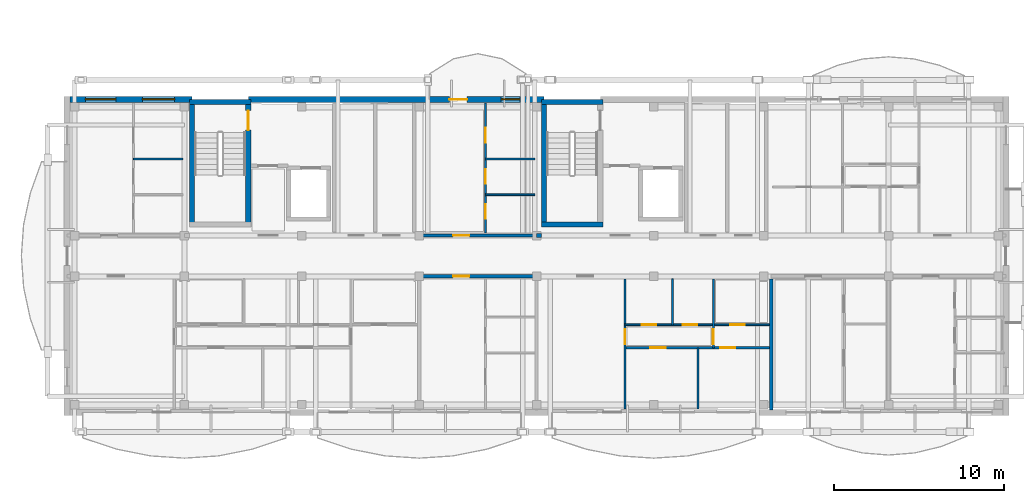
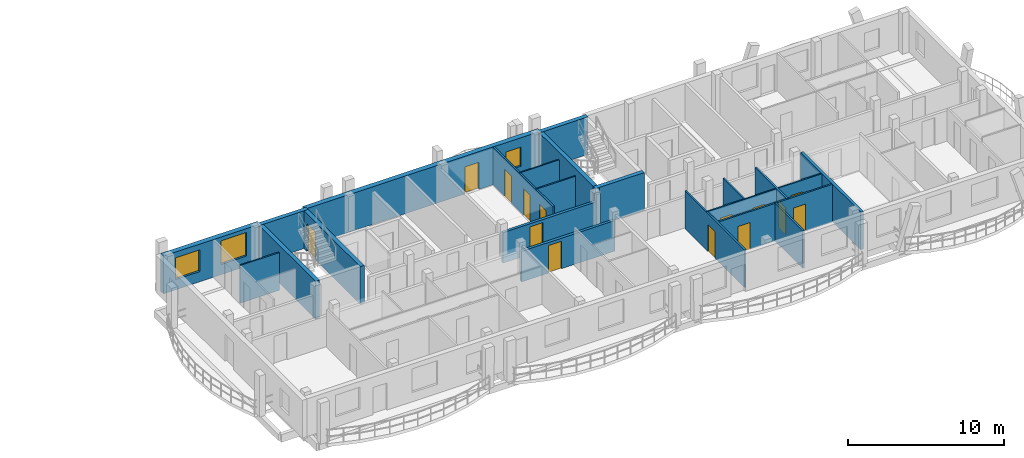
# One storey, part 16 of 44: 22 walls, 14 doors, 3 windows, 17 openings.
"""IFC4 building model written with IfcOpenShell, lengths in metres."""

from ifc_helpers import new_model, si_unit, direction, frame, frame_2d, origin, origin_with_axes, place, context, subcontext, project, spatial, rectangle, extrude, material, layer, layer_set, type_object, element, fill, save


model = new_model("IFC4")

# Units and contexts
model_context = context("Model", 3, precision=1e-05, world=origin(), true_north=direction((0.0, 1.0)))
body_context = subcontext(model_context, "Body", "Model", "MODEL_VIEW")
ifc_project = project(units=[si_unit("LENGTHUNIT", "METRE"), si_unit("AREAUNIT", "SQUARE_METRE"), si_unit("VOLUMEUNIT", "CUBIC_METRE"), si_unit("PLANEANGLEUNIT", "RADIAN"), si_unit("MASSUNIT", "GRAM", prefix="KILO")], contexts=[model_context])

# Site, building, storey
site_placement = place(None, origin())
site = spatial("IfcSite", under=ifc_project, at=site_placement, CompositionType="ELEMENT")
building_placement = place(site_placement, origin())
building = spatial("IfcBuilding", under=site, at=building_placement, Name="Zavelmont Quarter", CompositionType="ELEMENT")
storey_placement = place(building_placement, frame((0.0, 0.0, 20.800048828125)))
storey = spatial("IfcBuildingStorey", under=building, at=storey_placement, Name="L06", CompositionType="ELEMENT", Elevation=20.800048828125)

# Wall, openings, windows
ifc_material_1 = material(Name="Natural Belgian limestone", Category="masonry")
ifc_layer_1 = layer(ifc_material_1, 0.360107421875)
ifc_layer_set_1 = layer_set([ifc_layer_1], Name="Natural Belgian limestone")
wall_type_1 = type_object("IfcWallType", Name="EW02", PredefinedType="STANDARD", material=ifc_layer_set_1)
wall_1_placement = place(storey_placement, frame((0.169921875, 18.39990234375, 0.0), z_axis=(0.0, 0.0, 1.0), x_axis=(1.0, 0.0, 0.0)))
wall_1 = element("IfcWall", 1, at=wall_1_placement, inside=storey, type_object=wall_type_1, Name="L06 exterior limestone wall EW02", PredefinedType="STANDARD", context=body_context, shape_type="SweptSolid", body=[
    extrude(rectangle(XDim=7.18017578125, YDim=0.360107421875, at=frame_2d((3.590087890625, 0.0))), origin(), (0.0, 0.0, 1.0), 2.949951171875),
])
opening_1_placement = place(wall_1_placement, frame((0.89990234375, 0.0, 0.800048828125)))
opening_1 = element("IfcOpeningElement", 2, at=opening_1_placement, cuts=wall_1, Name="Opening WN02", PredefinedType="OPENING", context=body_context, shape_type="SweptSolid", body=[
    extrude(rectangle(XDim=1.800048828125, YDim=1.699951171875, at=frame_2d((0.89990234375, 0.85009765625))), frame((0.0, 0.19189453125, 0.0), z_axis=(0.0, -1.0, 0.0), x_axis=(1.0, 0.0, 0.0)), (0.0, 0.0, 1.0), 0.384033203125),
])
opening_2_placement = place(wall_1_placement, frame((4.25, 0.0, 0.800048828125)))
opening_2 = element("IfcOpeningElement", 3, at=opening_2_placement, cuts=wall_1, Name="Opening WN20", PredefinedType="OPENING", context=body_context, shape_type="SweptSolid", body=[
    extrude(rectangle(XDim=1.89990234375, YDim=1.85009765625, at=frame_2d((0.949951171875, 0.925048828125))), frame((0.0, 0.19189453125, 0.0), z_axis=(0.0, -1.0, 0.0), x_axis=(1.0, 0.0, 0.0)), (0.0, 0.0, 1.0), 0.384033203125),
])
ifc_material_2 = material(Name="Double low-E insulated glazing in thermally broken aluminium frame", Category="aluminium")
window_type_1 = type_object("IfcWindowType", Name="WN02", PartitioningType="SINGLE_PANEL", PredefinedType="WINDOW", material=ifc_material_2)
window_1_placement = place(opening_1_placement, origin_with_axes())
window_1 = element("IfcWindow", 4, at=window_1_placement, inside=storey, type_object=window_type_1, Name="L06 window WN02", OverallHeight=1.699951171875, OverallWidth=1.800048828125, PartitioningType="SINGLE_PANEL", PredefinedType="WINDOW", context=body_context, shape_type="SweptSolid", body=[
    extrude(rectangle(XDim=1.800048828125, YDim=1.699951171875, at=frame_2d((0.89990234375, 0.85009765625))), frame((0.0, 0.030029296875, 0.0), z_axis=(0.0, -1.0, 0.0), x_axis=(1.0, 0.0, 0.0)), (0.0, 0.0, 1.0), 0.06005859375),
])
fill(opening_1, window_1)
window_type_2 = type_object("IfcWindowType", Name="WN20", PartitioningType="SINGLE_PANEL", PredefinedType="WINDOW", material=ifc_material_2)
window_2_placement = place(opening_2_placement, origin_with_axes())
window_2 = element("IfcWindow", 5, at=window_2_placement, inside=storey, type_object=window_type_2, Name="L06 window WN20", OverallHeight=1.85009765625, OverallWidth=1.89990234375, PartitioningType="SINGLE_PANEL", PredefinedType="WINDOW", context=body_context, shape_type="SweptSolid", body=[
    extrude(rectangle(XDim=1.89990234375, YDim=1.85009765625, at=frame_2d((0.949951171875, 0.925048828125))), frame((0.0, 0.030029296875, 0.0), z_axis=(0.0, -1.0, 0.0), x_axis=(1.0, 0.0, 0.0)), (0.0, 0.0, 1.0), 0.06005859375),
])
fill(opening_2, window_2)

# Wall, openings, door, window
wall_2_placement = place(storey_placement, frame((10.64990234375, 18.39990234375, 0.0), z_axis=(0.0, 0.0, 1.0), x_axis=(1.0, 0.0, 0.0)))
wall_2 = element("IfcWall", 6, at=wall_2_placement, inside=storey, type_object=wall_type_1, Name="L06 exterior limestone wall EW02", PredefinedType="STANDARD", context=body_context, shape_type="SweptSolid", body=[
    extrude(rectangle(XDim=17.400146484375, YDim=0.360107421875, at=frame_2d((8.7001953125, 0.0))), origin(), (0.0, 0.0, 1.0), 2.949951171875),
])
opening_3_placement = place(wall_2_placement, frame((11.820068359375, 0.0, 0.0)))
opening_3 = element("IfcOpeningElement", 7, at=opening_3_placement, cuts=wall_2, Name="Opening DR04A", PredefinedType="OPENING", context=body_context, shape_type="SweptSolid", body=[
    extrude(rectangle(XDim=1.050048828125, YDim=2.1201171875, at=frame_2d((0.52490234375, 1.06005859375))), frame((0.0, 0.19189453125, 0.0), z_axis=(0.0, -1.0, 0.0), x_axis=(1.0, 0.0, 0.0)), (0.0, 0.0, 1.0), 0.384033203125),
])
opening_4_placement = place(wall_2_placement, frame((14.8701171875, 0.0, 0.719970703125)))
opening_4 = element("IfcOpeningElement", 8, at=opening_4_placement, cuts=wall_2, Name="Opening WN09", PredefinedType="OPENING", context=body_context, shape_type="SweptSolid", body=[
    extrude(rectangle(XDim=1.10009765625, YDim=1.5, at=frame_2d((0.550048828125, 0.75))), frame((0.0, 0.19189453125, 0.0), z_axis=(0.0, -1.0, 0.0), x_axis=(1.0, 0.0, 0.0)), (0.0, 0.0, 1.0), 0.384033203125),
])
ifc_material_3 = material(Name="Thermally broken aluminium and double safety glass", Category="aluminium")
door_type_1 = type_object("IfcDoorType", Name="DR04A", OperationType="NOTDEFINED", PredefinedType="DOOR", material=ifc_material_3)
door_1_placement = place(opening_3_placement, frame((1.050048828125, 0.0, 0.0), z_axis=(0.0, 0.0, 1.0), x_axis=(-1.0, 0.0, 0.0)))
door_1 = element("IfcDoor", 9, at=door_1_placement, inside=storey, type_object=door_type_1, Name="Block A L06 glazed balcony door", OperationType="SINGLE_SWING_LEFT", OverallHeight=2.1201171875, OverallWidth=1.050048828125, PredefinedType="DOOR", context=body_context, shape_type="SweptSolid", body=[
    extrude(rectangle(XDim=1.050048828125, YDim=2.1201171875, at=frame_2d((0.52490234375, 1.06005859375))), frame((0.0, 0.02490234375, 0.0), z_axis=(0.0, -1.0, 0.0), x_axis=(1.0, 0.0, 0.0)), (0.0, 0.0, 1.0), 0.050048828125),
])
fill(opening_3, door_1)
window_type_3 = type_object("IfcWindowType", Name="WN09", PartitioningType="SINGLE_PANEL", PredefinedType="WINDOW", material=ifc_material_2)
window_3_placement = place(opening_4_placement, origin_with_axes())
window_3 = element("IfcWindow", 10, at=window_3_placement, inside=storey, type_object=window_type_3, Name="L06 window WN09", OverallHeight=1.5, OverallWidth=1.10009765625, PartitioningType="SINGLE_PANEL", PredefinedType="WINDOW", context=body_context, shape_type="SweptSolid", body=[
    extrude(rectangle(XDim=1.10009765625, YDim=1.5, at=frame_2d((0.550048828125, 0.75))), frame((0.0, 0.030029296875, 0.0), z_axis=(0.0, -1.0, 0.0), x_axis=(1.0, 0.0, 0.0)), (0.0, 0.0, 1.0), 0.06005859375),
])
fill(opening_4, window_3)

# Wall, opening, door
ifc_material_4 = material(Name="Calcium-silicate blockwork and acoustic plaster", Category="masonry")
ifc_layer_2 = layer(ifc_material_4, 0.199951171875)
ifc_layer_set_2 = layer_set([ifc_layer_2], Name="Calcium-silicate blockwork and acoustic plaster")
wall_type_2 = type_object("IfcWallType", Name="IW01", PredefinedType="PARTITIONING", material=ifc_layer_set_2)
wall_3_placement = place(storey_placement, frame((20.699951171875, 8.0, 0.0), z_axis=(0.0, 0.0, 1.0), x_axis=(1.0, 0.0, 0.0)))
wall_3 = element("IfcWall", 11, at=wall_3_placement, inside=storey, type_object=wall_type_2, Name="L06 Corridor compartment wall IW01", PredefinedType="PARTITIONING", context=body_context, shape_type="SweptSolid", body=[
    extrude(rectangle(XDim=6.900146484375, YDim=0.199951171875, at=frame_2d((3.4501953125, 0.0))), origin(), (0.0, 0.0, 1.0), 2.389892578125),
])
opening_5_placement = place(wall_3_placement, frame((2.0, 0.0, 0.0)))
opening_5 = element("IfcOpeningElement", 12, at=opening_5_placement, cuts=wall_3, Name="Opening DR02", PredefinedType="OPENING", context=body_context, shape_type="SweptSolid", body=[
    extrude(rectangle(XDim=0.949951171875, YDim=2.14990234375, at=frame_2d((0.47509765625, 1.074951171875))), frame((0.0, 0.11181640625, 0.0), z_axis=(0.0, -1.0, 0.0), x_axis=(1.0, 0.0, 0.0)), (0.0, 0.0, 1.0), 0.223876953125),
])
ifc_material_5 = material(Name="Solid-core oak fire leaf in steel frame", Category="steel")
door_type_2 = type_object("IfcDoorType", Name="DR02", OperationType="NOTDEFINED", PredefinedType="DOOR", material=ifc_material_5)
door_2_placement = place(opening_5_placement, frame((0.949951171875, 0.0, 0.0), z_axis=(0.0, 0.0, 1.0), x_axis=(-1.0, 0.0, 0.0)))
door_2 = element("IfcDoor", 13, at=door_2_placement, inside=storey, type_object=door_type_2, Name="L06 door DR02", OperationType="SINGLE_SWING_LEFT", OverallHeight=2.14990234375, OverallWidth=0.949951171875, PredefinedType="DOOR", context=body_context, shape_type="SweptSolid", body=[
    extrude(rectangle(XDim=0.949951171875, YDim=2.14990234375, at=frame_2d((0.47509765625, 1.074951171875))), frame((0.0, 0.02490234375, 0.0), z_axis=(0.0, -1.0, 0.0), x_axis=(1.0, 0.0, 0.0)), (0.0, 0.0, 1.0), 0.050048828125),
])
fill(opening_5, door_2)

# Wall
wall_4_placement = place(storey_placement, frame((41.39990234375, 7.85009765625, 0.0), z_axis=(0.0, 0.0, 1.0), x_axis=(0.0, -1.0, 0.0)))
element("IfcWall", 14, at=wall_4_placement, inside=storey, type_object=wall_type_2, Name="L06 Inter-dwelling compartment wall IW01", PredefinedType="PARTITIONING", context=body_context, shape_type="SweptSolid", body=[
    extrude(rectangle(XDim=7.7001953125, YDim=0.199951171875, at=frame_2d((3.85009765625, 0.0))), origin(), (0.0, 0.0, 1.0), 2.949951171875),
])

# Wall, opening, door
wall_5_placement = place(storey_placement, frame((20.699951171875, 10.39990234375, 0.0), z_axis=(0.0, 0.0, 1.0), x_axis=(1.0, 0.0, 0.0)))
wall_5 = element("IfcWall", 15, at=wall_5_placement, inside=storey, type_object=wall_type_2, Name="L06 Corridor compartment wall IW01", PredefinedType="PARTITIONING", context=body_context, shape_type="SweptSolid", body=[
    extrude(rectangle(XDim=6.900146484375, YDim=0.199951171875, at=frame_2d((3.4501953125, 0.0))), origin(), (0.0, 0.0, 1.0), 2.389892578125),
])
opening_6_placement = place(wall_5_placement, frame((2.0, 0.0, 0.0)))
opening_6 = element("IfcOpeningElement", 16, at=opening_6_placement, cuts=wall_5, Name="Opening DR02", PredefinedType="OPENING", context=body_context, shape_type="SweptSolid", body=[
    extrude(rectangle(XDim=0.949951171875, YDim=2.14990234375, at=frame_2d((0.47509765625, 1.074951171875))), frame((0.0, 0.11181640625, 0.0), z_axis=(0.0, -1.0, 0.0), x_axis=(1.0, 0.0, 0.0)), (0.0, 0.0, 1.0), 0.223876953125),
])
door_3_placement = place(opening_6_placement, origin_with_axes())
door_3 = element("IfcDoor", 17, at=door_3_placement, inside=storey, type_object=door_type_2, Name="L06 door DR02", OperationType="SINGLE_SWING_LEFT", OverallHeight=2.14990234375, OverallWidth=0.949951171875, PredefinedType="DOOR", context=body_context, shape_type="SweptSolid", body=[
    extrude(rectangle(XDim=0.949951171875, YDim=2.14990234375, at=frame_2d((0.47509765625, 1.074951171875))), frame((0.0, 0.02490234375, 0.0), z_axis=(0.0, -1.0, 0.0), x_axis=(1.0, 0.0, 0.0)), (0.0, 0.0, 1.0), 0.050048828125),
])
fill(opening_6, door_3)

# Wall
ifc_material_6 = material(Name="Reinforced masonry fire compartment wall", Category="masonry")
ifc_layer_3 = layer(ifc_material_6, 0.22509765625)
ifc_layer_set_3 = layer_set([ifc_layer_3], Name="Reinforced masonry fire compartment wall")
wall_type_3 = type_object("IfcWallType", Name="IW02", PredefinedType="PARTITIONING", material=ifc_layer_set_3)
wall_6_placement = place(storey_placement, frame((27.60009765625, 10.39990234375, 0.0), z_axis=(0.0, 0.0, 1.0), x_axis=(1.0, 0.0, 0.0)))
element("IfcWall", 18, at=wall_6_placement, inside=storey, type_object=wall_type_3, Name="L06 Core corridor wall IW02", PredefinedType="PARTITIONING", context=body_context, shape_type="SweptSolid", body=[
    extrude(rectangle(XDim=0.2998046875, YDim=0.22509765625, at=frame_2d((0.14990234375, 0.0))), origin(), (0.0, 0.0, 1.0), 2.949951171875),
])

# Wall, opening, door
ifc_material_7 = material(Name="Double gypsum board on acoustic steel stud", Category="steel")
ifc_layer_4 = layer(ifc_material_7, 0.125)
ifc_layer_set_4 = layer_set([ifc_layer_4], Name="Double gypsum board on acoustic steel stud")
wall_type_4 = type_object("IfcWallType", Name="IW03", PredefinedType="PARTITIONING", material=ifc_layer_set_4)
wall_7_placement = place(storey_placement, frame((32.800048828125, 7.85009765625, 0.0), z_axis=(0.0, 0.0, 1.0), x_axis=(0.0, -1.0, 0.0)))
wall_7 = element("IfcWall", 19, at=wall_7_placement, inside=storey, type_object=wall_type_4, Name="L06 Partition IW03", PredefinedType="PARTITIONING", context=body_context, shape_type="SweptSolid", body=[
    extrude(rectangle(XDim=7.650146484375, YDim=0.125, at=frame_2d((3.8251953125, 0.0))), origin(), (0.0, 0.0, 1.0), 2.949951171875),
])
opening_7_placement = place(wall_7_placement, frame((2.949951171875, 0.0, 0.0)))
opening_7 = element("IfcOpeningElement", 20, at=opening_7_placement, cuts=wall_7, Name="Opening DR05", PredefinedType="OPENING", context=body_context, shape_type="SweptSolid", body=[
    extrude(rectangle(XDim=0.89990234375, YDim=2.10009765625, at=frame_2d((0.449951171875, 1.050048828125))), frame((0.0, 0.074462890625, 0.0), z_axis=(0.0, -1.0, 0.0), x_axis=(1.0, 0.0, 0.0)), (0.0, 0.0, 1.0), 0.14892578125),
])
ifc_material_8 = material(Name="Engineered oak flush interior door")
door_type_3 = type_object("IfcDoorType", Name="DR05", OperationType="NOTDEFINED", PredefinedType="DOOR", material=ifc_material_8)
door_4_placement = place(opening_7_placement, frame((0.89990234375, 0.0, 0.0), z_axis=(0.0, 0.0, 1.0), x_axis=(-1.0, 0.0, 0.0)))
door_4 = element("IfcDoor", 21, at=door_4_placement, inside=storey, type_object=door_type_3, Name="L06 door DR05", OperationType="SINGLE_SWING_RIGHT", OverallHeight=2.10009765625, OverallWidth=0.89990234375, PredefinedType="DOOR", context=body_context, shape_type="SweptSolid", body=[
    extrude(rectangle(XDim=0.89990234375, YDim=2.10009765625, at=frame_2d((0.449951171875, 1.050048828125))), frame((0.0, 0.02490234375, 0.0), z_axis=(0.0, -1.0, 0.0), x_axis=(1.0, 0.0, 0.0)), (0.0, 0.0, 1.0), 0.050048828125),
])
fill(opening_7, door_4)

wall_8_placement = place(storey_placement, frame((38.0, 7.85009765625, 0.0), z_axis=(0.0, 0.0, 1.0), x_axis=(0.0, -1.0, 0.0)))
wall_8 = element("IfcWall", 22, at=wall_8_placement, inside=storey, type_object=wall_type_4, Name="L06 Partition IW03", PredefinedType="PARTITIONING", context=body_context, shape_type="SweptSolid", body=[
    extrude(rectangle(XDim=4.050048828125, YDim=0.125, at=frame_2d((2.02490234375, 0.0))), origin(), (0.0, 0.0, 1.0), 2.949951171875),
])
opening_8_placement = place(wall_8_placement, frame((2.949951171875, 0.0, 0.0)))
opening_8 = element("IfcOpeningElement", 23, at=opening_8_placement, cuts=wall_8, Name="Opening DR05", PredefinedType="OPENING", context=body_context, shape_type="SweptSolid", body=[
    extrude(rectangle(XDim=0.89990234375, YDim=2.10009765625, at=frame_2d((0.449951171875, 1.050048828125))), frame((0.0, 0.074462890625, 0.0), z_axis=(0.0, -1.0, 0.0), x_axis=(1.0, 0.0, 0.0)), (0.0, 0.0, 1.0), 0.14892578125),
])
door_5_placement = place(opening_8_placement, origin_with_axes())
door_5 = element("IfcDoor", 24, at=door_5_placement, inside=storey, type_object=door_type_3, Name="L06 door DR05", OperationType="SINGLE_SWING_LEFT", OverallHeight=2.10009765625, OverallWidth=0.89990234375, PredefinedType="DOOR", context=body_context, shape_type="SweptSolid", body=[
    extrude(rectangle(XDim=0.89990234375, YDim=2.10009765625, at=frame_2d((0.449951171875, 1.050048828125))), frame((0.0, 0.02490234375, 0.0), z_axis=(0.0, -1.0, 0.0), x_axis=(1.0, 0.0, 0.0)), (0.0, 0.0, 1.0), 0.050048828125),
])
fill(opening_8, door_5)

# Wall
wall_9_placement = place(storey_placement, frame((37.10009765625, 3.800048828125, 0.0), z_axis=(0.0, 0.0, 1.0), x_axis=(0.0, -1.0, 0.0)))
element("IfcWall", 25, at=wall_9_placement, inside=storey, type_object=wall_type_4, Name="L06 Partition IW03", PredefinedType="PARTITIONING", context=body_context, shape_type="SweptSolid", body=[
    extrude(rectangle(XDim=3.60009765625, YDim=0.125, at=frame_2d((1.800048828125, 0.0))), origin(), (0.0, 0.0, 1.0), 2.949951171875),
])

# Wall, openings, doors
wall_10_placement = place(storey_placement, frame((32.800048828125, 3.800048828125, 0.0), z_axis=(0.0, 0.0, 1.0), x_axis=(1.0, 0.0, 0.0)))
wall_10 = element("IfcWall", 26, at=wall_10_placement, inside=storey, type_object=wall_type_4, Name="L06 Partition IW03", PredefinedType="PARTITIONING", context=body_context, shape_type="SweptSolid", body=[
    extrude(rectangle(XDim=8.5, YDim=0.125, at=frame_2d((4.25, 0.0))), origin(), (0.0, 0.0, 1.0), 2.949951171875),
])
opening_9_placement = place(wall_10_placement, frame((1.5, 0.0, 0.0)))
opening_9 = element("IfcOpeningElement", 27, at=opening_9_placement, cuts=wall_10, Name="Opening DR05", PredefinedType="OPENING", context=body_context, shape_type="SweptSolid", body=[
    extrude(rectangle(XDim=0.89990234375, YDim=2.10009765625, at=frame_2d((0.449951171875, 1.050048828125))), frame((0.0, 0.074462890625, 0.0), z_axis=(0.0, -1.0, 0.0), x_axis=(1.0, 0.0, 0.0)), (0.0, 0.0, 1.0), 0.14892578125),
])
opening_10_placement = place(wall_10_placement, frame((5.60009765625, 0.0, 0.0)))
opening_10 = element("IfcOpeningElement", 28, at=opening_10_placement, cuts=wall_10, Name="Opening DR05", PredefinedType="OPENING", context=body_context, shape_type="SweptSolid", body=[
    extrude(rectangle(XDim=0.89990234375, YDim=2.10009765625, at=frame_2d((0.449951171875, 1.050048828125))), frame((0.0, 0.074462890625, 0.0), z_axis=(0.0, -1.0, 0.0), x_axis=(1.0, 0.0, 0.0)), (0.0, 0.0, 1.0), 0.14892578125),
])
door_6_placement = place(opening_9_placement, origin_with_axes())
door_6 = element("IfcDoor", 29, at=door_6_placement, inside=storey, type_object=door_type_3, Name="L06 door DR05", OperationType="SINGLE_SWING_LEFT", OverallHeight=2.10009765625, OverallWidth=0.89990234375, PredefinedType="DOOR", context=body_context, shape_type="SweptSolid", body=[
    extrude(rectangle(XDim=0.89990234375, YDim=2.10009765625, at=frame_2d((0.449951171875, 1.050048828125))), frame((0.0, 0.02490234375, 0.0), z_axis=(0.0, -1.0, 0.0), x_axis=(1.0, 0.0, 0.0)), (0.0, 0.0, 1.0), 0.050048828125),
])
fill(opening_9, door_6)
door_7_placement = place(opening_10_placement, frame((0.89990234375, 0.0, 0.0), z_axis=(0.0, 0.0, 1.0), x_axis=(-1.0, 0.0, 0.0)))
door_7 = element("IfcDoor", 30, at=door_7_placement, inside=storey, type_object=door_type_3, Name="L06 door DR05", OperationType="SINGLE_SWING_RIGHT", OverallHeight=2.10009765625, OverallWidth=0.89990234375, PredefinedType="DOOR", context=body_context, shape_type="SweptSolid", body=[
    extrude(rectangle(XDim=0.89990234375, YDim=2.10009765625, at=frame_2d((0.449951171875, 1.050048828125))), frame((0.0, 0.02490234375, 0.0), z_axis=(0.0, -1.0, 0.0), x_axis=(1.0, 0.0, 0.0)), (0.0, 0.0, 1.0), 0.050048828125),
])
fill(opening_10, door_7)

wall_11_placement = place(storey_placement, frame((24.60009765625, 10.550048828125, 0.0), z_axis=(0.0, 0.0, 1.0), x_axis=(0.0, 1.0, 0.0)))
wall_11 = element("IfcWall", 31, at=wall_11_placement, inside=storey, type_object=wall_type_4, Name="L06 Partition IW03", PredefinedType="PARTITIONING", context=body_context, shape_type="SweptSolid", body=[
    extrude(rectangle(XDim=7.64990234375, YDim=0.125, at=frame_2d((3.824951171875, 0.0))), origin(), (0.0, 0.0, 1.0), 2.949951171875),
])
opening_11_placement = place(wall_11_placement, frame((0.85009765625, 0.0, 0.0)))
opening_11 = element("IfcOpeningElement", 32, at=opening_11_placement, cuts=wall_11, Name="Opening DR16", PredefinedType="OPENING", context=body_context, shape_type="SweptSolid", body=[
    extrude(rectangle(XDim=0.85009765625, YDim=2.10009765625, at=frame_2d((0.425048828125, 1.050048828125))), frame((0.0, 0.074462890625, 0.0), z_axis=(0.0, -1.0, 0.0), x_axis=(1.0, 0.0, 0.0)), (0.0, 0.0, 1.0), 0.14892578125),
])
opening_12_placement = place(wall_11_placement, frame((2.89990234375, 0.0, 0.0)))
opening_12 = element("IfcOpeningElement", 33, at=opening_12_placement, cuts=wall_11, Name="Opening DR06", PredefinedType="OPENING", context=body_context, shape_type="SweptSolid", body=[
    extrude(rectangle(XDim=0.85009765625, YDim=2.050048828125, at=frame_2d((0.425048828125, 1.02490234375))), frame((0.0, 0.074462890625, 0.0), z_axis=(0.0, -1.0, 0.0), x_axis=(1.0, 0.0, 0.0)), (0.0, 0.0, 1.0), 0.14892578125),
])
opening_13_placement = place(wall_11_placement, frame((5.300048828125, 0.0, 0.0)))
opening_13 = element("IfcOpeningElement", 34, at=opening_13_placement, cuts=wall_11, Name="Opening DR05", PredefinedType="OPENING", context=body_context, shape_type="SweptSolid", body=[
    extrude(rectangle(XDim=0.89990234375, YDim=2.10009765625, at=frame_2d((0.449951171875, 1.050048828125))), frame((0.0, 0.074462890625, 0.0), z_axis=(0.0, -1.0, 0.0), x_axis=(1.0, 0.0, 0.0)), (0.0, 0.0, 1.0), 0.14892578125),
])
door_8_placement = place(opening_13_placement, origin_with_axes())
door_8 = element("IfcDoor", 35, at=door_8_placement, inside=storey, type_object=door_type_3, Name="L06 door DR05", OperationType="SINGLE_SWING_LEFT", OverallHeight=2.10009765625, OverallWidth=0.89990234375, PredefinedType="DOOR", context=body_context, shape_type="SweptSolid", body=[
    extrude(rectangle(XDim=0.89990234375, YDim=2.10009765625, at=frame_2d((0.449951171875, 1.050048828125))), frame((0.0, 0.02490234375, 0.0), z_axis=(0.0, -1.0, 0.0), x_axis=(1.0, 0.0, 0.0)), (0.0, 0.0, 1.0), 0.050048828125),
])
fill(opening_13, door_8)
ifc_material_9 = material(Name="Moisture-resistant painted wet-room door")
door_type_4 = type_object("IfcDoorType", Name="DR06", OperationType="NOTDEFINED", PredefinedType="DOOR", material=ifc_material_9)
door_9_placement = place(opening_12_placement, frame((0.85009765625, 0.0, 0.0), z_axis=(0.0, 0.0, 1.0), x_axis=(-1.0, 0.0, 0.0)))
door_9 = element("IfcDoor", 36, at=door_9_placement, inside=storey, type_object=door_type_4, Name="L06 door DR06", OperationType="SINGLE_SWING_RIGHT", OverallHeight=2.050048828125, OverallWidth=0.85009765625, PredefinedType="DOOR", context=body_context, shape_type="SweptSolid", body=[
    extrude(rectangle(XDim=0.85009765625, YDim=2.050048828125, at=frame_2d((0.425048828125, 1.02490234375))), frame((0.0, 0.02490234375, 0.0), z_axis=(0.0, -1.0, 0.0), x_axis=(1.0, 0.0, 0.0)), (0.0, 0.0, 1.0), 0.050048828125),
])
fill(opening_12, door_9)
door_type_5 = type_object("IfcDoorType", Name="DR16", OperationType="NOTDEFINED", PredefinedType="DOOR", material=ifc_material_8)
door_10_placement = place(opening_11_placement, origin_with_axes())
door_10 = element("IfcDoor", 37, at=door_10_placement, inside=storey, type_object=door_type_5, Name="L06 door DR16", OperationType="SINGLE_SWING_LEFT", OverallHeight=2.10009765625, OverallWidth=0.85009765625, PredefinedType="DOOR", context=body_context, shape_type="SweptSolid", body=[
    extrude(rectangle(XDim=0.85009765625, YDim=2.10009765625, at=frame_2d((0.425048828125, 1.050048828125))), frame((0.0, 0.02490234375, 0.0), z_axis=(0.0, -1.0, 0.0), x_axis=(1.0, 0.0, 0.0)), (0.0, 0.0, 1.0), 0.050048828125),
])
fill(opening_11, door_10)

# Wall
ifc_material_10 = material(Name="Moisture-resistant gypsum board on steel stud", Category="steel")
ifc_layer_5 = layer(ifc_material_10, 0.10009765625)
ifc_layer_set_5 = layer_set([ifc_layer_5], Name="Moisture-resistant gypsum board on steel stud")
wall_type_5 = type_object("IfcWallType", Name="IW04", PredefinedType="PARTITIONING", material=ifc_layer_set_5)
wall_12_placement = place(storey_placement, frame((35.60009765625, 7.85009765625, 0.0), z_axis=(0.0, 0.0, 1.0), x_axis=(0.0, -1.0, 0.0)))
element("IfcWall", 38, at=wall_12_placement, inside=storey, type_object=wall_type_5, Name="L06 Partition IW04", PredefinedType="PARTITIONING", context=body_context, shape_type="SweptSolid", body=[
    extrude(rectangle(XDim=2.7001953125, YDim=0.10009765625, at=frame_2d((1.35009765625, 0.0))), origin(), (0.0, 0.0, 1.0), 2.949951171875),
])

# Wall, openings, doors
wall_13_placement = place(storey_placement, frame((32.800048828125, 5.14990234375, 0.0), z_axis=(0.0, 0.0, 1.0), x_axis=(1.0, 0.0, 0.0)))
wall_13 = element("IfcWall", 39, at=wall_13_placement, inside=storey, type_object=wall_type_5, Name="L06 Partition IW04", PredefinedType="PARTITIONING", context=body_context, shape_type="SweptSolid", body=[
    extrude(rectangle(XDim=8.5, YDim=0.10009765625, at=frame_2d((4.25, 0.0))), origin(), (0.0, 0.0, 1.0), 2.949951171875),
])
opening_14_placement = place(wall_13_placement, frame((1.0, 0.0, 0.0)))
opening_14 = element("IfcOpeningElement", 40, at=opening_14_placement, cuts=wall_13, Name="Opening DR16", PredefinedType="OPENING", context=body_context, shape_type="SweptSolid", body=[
    extrude(rectangle(XDim=0.85009765625, YDim=2.10009765625, at=frame_2d((0.425048828125, 1.050048828125))), frame((0.0, 0.06201171875, 0.0), z_axis=(0.0, -1.0, 0.0), x_axis=(1.0, 0.0, 0.0)), (0.0, 0.0, 1.0), 0.1240234375),
])
opening_15_placement = place(wall_13_placement, frame((3.39990234375, 0.0, 0.0)))
opening_15 = element("IfcOpeningElement", 41, at=opening_15_placement, cuts=wall_13, Name="Opening DR06", PredefinedType="OPENING", context=body_context, shape_type="SweptSolid", body=[
    extrude(rectangle(XDim=0.85009765625, YDim=2.050048828125, at=frame_2d((0.425048828125, 1.02490234375))), frame((0.0, 0.06201171875, 0.0), z_axis=(0.0, -1.0, 0.0), x_axis=(1.0, 0.0, 0.0)), (0.0, 0.0, 1.0), 0.1240234375),
])
opening_16_placement = place(wall_13_placement, frame((6.199951171875, 0.0, 0.0)))
opening_16 = element("IfcOpeningElement", 42, at=opening_16_placement, cuts=wall_13, Name="Opening DR06", PredefinedType="OPENING", context=body_context, shape_type="SweptSolid", body=[
    extrude(rectangle(XDim=0.85009765625, YDim=2.050048828125, at=frame_2d((0.425048828125, 1.02490234375))), frame((0.0, 0.06201171875, 0.0), z_axis=(0.0, -1.0, 0.0), x_axis=(1.0, 0.0, 0.0)), (0.0, 0.0, 1.0), 0.1240234375),
])
door_11_placement = place(opening_15_placement, origin_with_axes())
door_11 = element("IfcDoor", 43, at=door_11_placement, inside=storey, type_object=door_type_4, Name="L06 door DR06", OperationType="SINGLE_SWING_LEFT", OverallHeight=2.050048828125, OverallWidth=0.85009765625, PredefinedType="DOOR", context=body_context, shape_type="SweptSolid", body=[
    extrude(rectangle(XDim=0.85009765625, YDim=2.050048828125, at=frame_2d((0.425048828125, 1.02490234375))), frame((0.0, 0.02490234375, 0.0), z_axis=(0.0, -1.0, 0.0), x_axis=(1.0, 0.0, 0.0)), (0.0, 0.0, 1.0), 0.050048828125),
])
fill(opening_15, door_11)
door_12_placement = place(opening_16_placement, frame((0.85009765625, 0.0, 0.0), z_axis=(0.0, 0.0, 1.0), x_axis=(-1.0, 0.0, 0.0)))
door_12 = element("IfcDoor", 44, at=door_12_placement, inside=storey, type_object=door_type_4, Name="L06 door DR06", OperationType="SINGLE_SWING_RIGHT", OverallHeight=2.050048828125, OverallWidth=0.85009765625, PredefinedType="DOOR", context=body_context, shape_type="SweptSolid", body=[
    extrude(rectangle(XDim=0.85009765625, YDim=2.050048828125, at=frame_2d((0.425048828125, 1.02490234375))), frame((0.0, 0.02490234375, 0.0), z_axis=(0.0, -1.0, 0.0), x_axis=(1.0, 0.0, 0.0)), (0.0, 0.0, 1.0), 0.050048828125),
])
fill(opening_16, door_12)
door_13_placement = place(opening_14_placement, frame((0.85009765625, 0.0, 0.0), z_axis=(0.0, 0.0, 1.0), x_axis=(-1.0, 0.0, 0.0)))
door_13 = element("IfcDoor", 45, at=door_13_placement, inside=storey, type_object=door_type_5, Name="L06 door DR16", OperationType="SINGLE_SWING_RIGHT", OverallHeight=2.10009765625, OverallWidth=0.85009765625, PredefinedType="DOOR", context=body_context, shape_type="SweptSolid", body=[
    extrude(rectangle(XDim=0.85009765625, YDim=2.10009765625, at=frame_2d((0.425048828125, 1.050048828125))), frame((0.0, 0.02490234375, 0.0), z_axis=(0.0, -1.0, 0.0), x_axis=(1.0, 0.0, 0.0)), (0.0, 0.0, 1.0), 0.050048828125),
])
fill(opening_14, door_13)

# Walls
wall_14_placement = place(storey_placement, frame((3.89990234375, 14.89990234375, 0.0), z_axis=(0.0, 0.0, 1.0), x_axis=(1.0, 0.0, 0.0)))
element("IfcWall", 46, at=wall_14_placement, inside=storey, type_object=wall_type_5, Name="L06 Partition IW04", PredefinedType="PARTITIONING", context=body_context, shape_type="SweptSolid", body=[
    extrude(rectangle(XDim=2.900146484375, YDim=0.10009765625, at=frame_2d((1.4501953125, 0.0))), origin(), (0.0, 0.0, 1.0), 2.949951171875),
])
for number, where, z_axis, x_axis, name in (
    (47, (24.60009765625, 12.800048828125, 0.0), (0.0, 0.0, 1.0), (1.0, 0.0, 0.0), "L06 Partition IW04"),
    (48, (24.60009765625, 14.89990234375, 0.0), (0.0, 0.0, 1.0), (1.0, 0.0, 0.0), "L06 Partition IW04"),
):
    element("IfcWall", number, at=place(storey_placement, frame(where, z_axis=z_axis, x_axis=x_axis)), inside=storey, type_object=wall_type_5, Name=name, PredefinedType="PARTITIONING", context=body_context, shape_type="SweptSolid", body=[
        extrude(rectangle(XDim=2.89990234375, YDim=0.10009765625, at=frame_2d((1.449951171875, 0.0))), origin(), (0.0, 0.0, 1.0), 2.949951171875),
    ])
ifc_material_11 = material(Name="Concrete C40/50", Category="concrete")
ifc_layer_6 = layer(ifc_material_11, 0.300048828125)
ifc_layer_set_6 = layer_set([ifc_layer_6], Name="Concrete C40/50")
wall_type_6 = type_object("IfcWallType", Name="SW01", PredefinedType="SHEAR", material=ifc_layer_set_6)
wall_15_placement = place(storey_placement, frame((7.35009765625, 10.89990234375, 0.0), z_axis=(0.0, 0.0, 1.0), x_axis=(0.0, 1.0, 0.0)))
element("IfcWall", 49, at=wall_15_placement, inside=storey, type_object=wall_type_6, Name="L06 ST01 west shear wall SW01", PredefinedType="SHEAR", context=body_context, shape_type="SweptSolid", body=[
    extrude(rectangle(XDim=7.5, YDim=0.300048828125, at=frame_2d((3.75, 0.0))), origin(), (0.0, 0.0, 1.0), 2.949951171875),
])

# Wall, opening, door
wall_16_placement = place(storey_placement, frame((10.64990234375, 10.89990234375, 0.0), z_axis=(0.0, 0.0, 1.0), x_axis=(0.0, 1.0, 0.0)))
wall_16 = element("IfcWall", 50, at=wall_16_placement, inside=storey, type_object=wall_type_6, Name="L06 ST01 lobby shear wall SW01", PredefinedType="SHEAR", context=body_context, shape_type="SweptSolid", body=[
    extrude(rectangle(XDim=7.5, YDim=0.300048828125, at=frame_2d((3.75, 0.0))), origin(), (0.0, 0.0, 1.0), 2.949951171875),
])
opening_17_placement = place(wall_16_placement, frame((5.699951171875, 0.0, 0.0)))
opening_17 = element("IfcOpeningElement", 51, at=opening_17_placement, cuts=wall_16, Name="Opening DR09", PredefinedType="OPENING", context=body_context, shape_type="SweptSolid", body=[
    extrude(rectangle(XDim=1.14990234375, YDim=2.14990234375, at=frame_2d((0.574951171875, 1.074951171875))), frame((0.0, 0.162109375, 0.0), z_axis=(0.0, -1.0, 0.0), x_axis=(1.0, 0.0, 0.0)), (0.0, 0.0, 1.0), 0.323974609375),
])
ifc_material_12 = material(Name="Painted steel stair-core fire door", Category="steel")
door_type_6 = type_object("IfcDoorType", Name="DR09", OperationType="NOTDEFINED", PredefinedType="DOOR", material=ifc_material_12)
door_14_placement = place(opening_17_placement, origin_with_axes())
door_14 = element("IfcDoor", 52, at=door_14_placement, inside=storey, type_object=door_type_6, Name="ST01 protected stair door", OperationType="SINGLE_SWING_LEFT", OverallHeight=2.14990234375, OverallWidth=1.14990234375, PredefinedType="DOOR", context=body_context, shape_type="SweptSolid", body=[
    extrude(rectangle(XDim=1.14990234375, YDim=2.14990234375, at=frame_2d((0.574951171875, 1.074951171875))), frame((0.0, 0.02490234375, 0.0), z_axis=(0.0, -1.0, 0.0), x_axis=(1.0, 0.0, 0.0)), (0.0, 0.0, 1.0), 0.050048828125),
])
fill(opening_17, door_14)

# Walls
wall_17_placement = place(storey_placement, frame((27.89990234375, 11.050048828125, 0.0), z_axis=(0.0, 0.0, 1.0), x_axis=(1.0, 0.0, 0.0)))
element("IfcWall", 53, at=wall_17_placement, inside=storey, type_object=wall_type_6, Name="L06 ST02 corridor shear wall SW01", PredefinedType="SHEAR", context=body_context, shape_type="SweptSolid", body=[
    extrude(rectangle(XDim=3.60009765625, YDim=0.300048828125, at=frame_2d((1.800048828125, 0.0))), origin(), (0.0, 0.0, 1.0), 2.949951171875),
])
wall_18_placement = place(storey_placement, frame((28.050048828125, 10.89990234375, 0.0), z_axis=(0.0, 0.0, 1.0), x_axis=(0.0, 1.0, 0.0)))
element("IfcWall", 54, at=wall_18_placement, inside=storey, type_object=wall_type_6, Name="L06 ST02 west shear wall SW01", PredefinedType="SHEAR", context=body_context, shape_type="SweptSolid", body=[
    extrude(rectangle(XDim=7.5, YDim=0.300048828125, at=frame_2d((3.75, 0.0))), origin(), (0.0, 0.0, 1.0), 2.949951171875),
])
ifc_layer_7 = layer(ifc_material_11, 0.300048828125)
ifc_layer_set_7 = layer_set([ifc_layer_7], Name="Concrete C40/50")
wall_type_7 = type_object("IfcWallType", Name="SW03", PredefinedType="SHEAR", material=ifc_layer_set_7)
for number, where, z_axis, x_axis, name in (
    (55, (7.199951171875, 18.25, 0.0), (0.0, 0.0, 1.0), (1.0, 0.0, 0.0), "L06 ST01 outer shear wall SW03"),
    (56, (27.89990234375, 18.25, 0.0), (0.0, 0.0, 1.0), (1.0, 0.0, 0.0), "L06 ST02 outer shear wall SW03"),
):
    element("IfcWall", number, at=place(storey_placement, frame(where, z_axis=z_axis, x_axis=x_axis)), inside=storey, type_object=wall_type_7, Name=name, PredefinedType="SHEAR", context=body_context, shape_type="SweptSolid", body=[
        extrude(rectangle(XDim=3.60009765625, YDim=0.300048828125, at=frame_2d((1.800048828125, 0.0))), origin(), (0.0, 0.0, 1.0), 2.949951171875),
    ])

save(model, "model.ifc")
